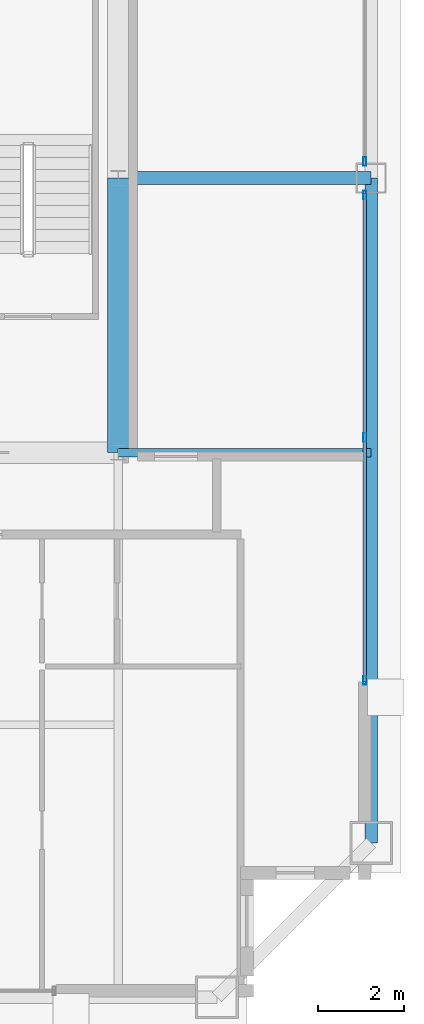
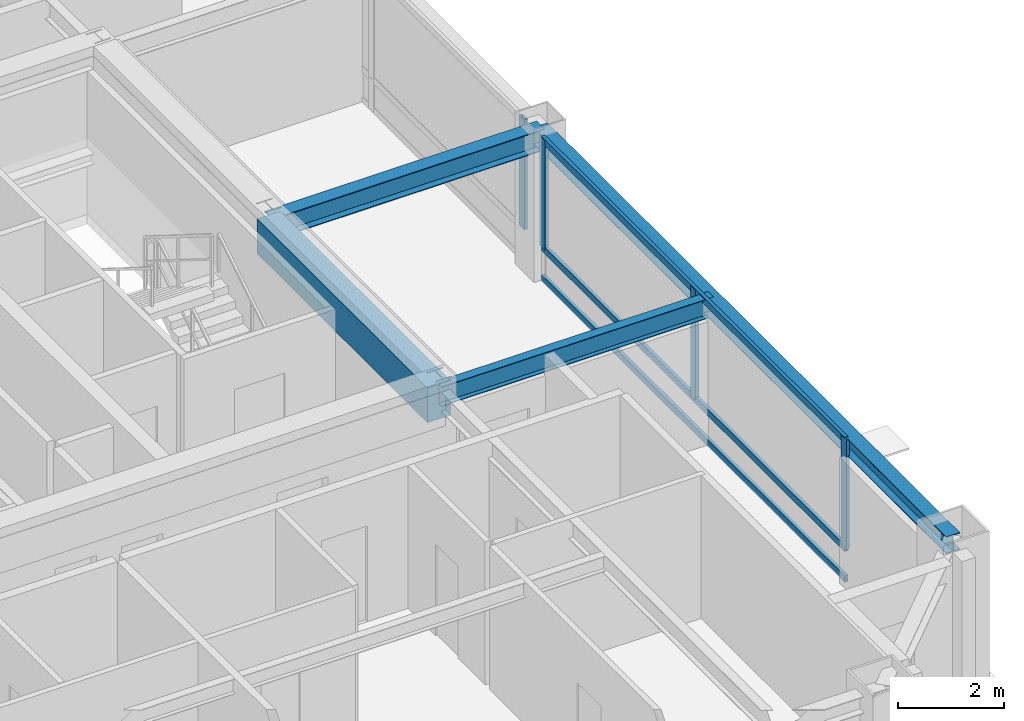
# One storey, part 14 of 35: 7 members, 4 beams, 2 elements without a shape of their own.
"""IFC4 building model written with IfcOpenShell, lengths in metres."""

import ifcopenshell
import ifcopenshell.guid

model = None  # the IFC model being written
_history = None  # IfcOwnerHistory: only IFC2X3 demands one
_inside = {}  # id of a spatial element -> (the spatial element, [elements in it])
_under = {}  # id of a project, library or spatial element -> (it, [spatial elements below it])
_declared = {}  # id of a project -> (the project, [libraries it declares])
_typed = {}  # id of a type object -> (the type object, [elements of that type])
_made_of = {}  # id of a material, layer set ... -> (it, [elements and type objects made of it])


def new_model(schema):
    """Start an empty IFC model of exactly this schema.

    Asked for "IFC4X3", IfcOpenShell would pick the latest addendum, in which some entities
    have other attributes; the version numbers below select the first issue.
    IFC2X3 requires an IfcOwnerHistory on every rooted entity: one is made here for all.
    """
    global model, _history
    if schema == "IFC4X3":
        model = ifcopenshell.file(schema_version=(4, 3, 0, 0))
    else:
        model = ifcopenshell.file(schema=schema)
    _inside.clear()
    _under.clear()
    _declared.clear()
    _typed.clear()
    _made_of.clear()
    _history = None
    if model.schema == "IFC2X3":
        org = make("IfcOrganization", Name="unknown")
        user = make(
            "IfcPersonAndOrganization",
            ThePerson=make("IfcPerson", FamilyName="unknown"),
            TheOrganization=org,
        )
        app = make(
            "IfcApplication",
            ApplicationDeveloper=org,
            Version="unknown",
            ApplicationFullName="unknown",
            ApplicationIdentifier="unknown",
        )
        _history = make(
            "IfcOwnerHistory",
            OwningUser=user,
            OwningApplication=app,
            ChangeAction="ADDED",
            CreationDate=0,
        )
    return model


def make(cls, **values):
    """One entity of the class cls with the attributes given. An attribute that is None is left unset."""
    return model.create_entity(
        cls, **{name: value for name, value in values.items() if value is not None}
    )


def rooted(cls, **values):
    """An entity with a GlobalId (a new one), such as an element, a storey or a relation."""
    return make(cls, GlobalId=ifcopenshell.guid.new(), OwnerHistory=_history, **values)


def si_unit(unit_type, name, prefix=None):
    """IfcSIUnit, for example si_unit("LENGTHUNIT", "METRE", prefix="MILLI")."""
    return make("IfcSIUnit", UnitType=unit_type, Prefix=prefix, Name=name)


def assignment(units):
    """IfcUnitAssignment: the units of a project."""
    return None if units is None else make("IfcUnitAssignment", Units=units)


def point(xyz):
    """IfcCartesianPoint."""
    return None if xyz is None else make("IfcCartesianPoint", Coordinates=xyz)


def direction(xyz):
    """IfcDirection."""
    return None if xyz is None else make("IfcDirection", DirectionRatios=xyz)


def frame(location, z_axis=None, x_axis=None):
    """IfcAxis2Placement3D, a coordinate frame: its origin and axes. An axis left out is left unset."""
    return make(
        "IfcAxis2Placement3D",
        Location=point(location),
        Axis=direction(z_axis),
        RefDirection=direction(x_axis),
    )


def frame_2d(location, x_axis=None):
    """IfcAxis2Placement2D, a coordinate frame in the plane: its origin and x axis."""
    return make(
        "IfcAxis2Placement2D", Location=point(location), RefDirection=direction(x_axis)
    )


def origin():
    """The frame at (0, 0, 0) with its axes left unset."""
    return frame((0.0, 0.0, 0.0))


def origin_2d():
    """The frame at (0, 0) in the plane with its x axis left unset."""
    return frame_2d((0.0, 0.0))


def place(relative_to, where):
    """IfcLocalPlacement: puts the frame where relative to a parent placement (None: the world)."""
    return make(
        "IfcLocalPlacement", PlacementRelTo=relative_to, RelativePlacement=where
    )


def context(
    kind, dimensions, precision=None, world=None, true_north=None, identifier=None
):
    """IfcGeometricRepresentationContext, for example the 3D "Model" context."""
    return make(
        "IfcGeometricRepresentationContext",
        ContextIdentifier=identifier,
        ContextType=kind,
        CoordinateSpaceDimension=dimensions,
        Precision=precision,
        WorldCoordinateSystem=world,
        TrueNorth=true_north,
    )


def subcontext(parent, identifier, kind, view, scale=None):
    """IfcGeometricRepresentationSubContext, for example "Body" below "Model"."""
    return make(
        "IfcGeometricRepresentationSubContext",
        ContextIdentifier=identifier,
        ContextType=kind,
        ParentContext=parent,
        TargetScale=scale,
        TargetView=view,
    )


def project(units=None, contexts=None):
    """IfcProject with its units and contexts."""
    return rooted(
        "IfcProject",
        Name="project",
        RepresentationContexts=contexts,
        UnitsInContext=assignment(units),
    )


def spatial(cls, under=None, at=None, **own):
    """A site, building, storey or space (cls), placed at a placement, below another one or the project."""
    s = rooted(cls, ObjectPlacement=at, **own)
    if under is not None:
        _under.setdefault(under.id(), (under, []))[1].append(s)
    return s


def profile(cls, at=None, kind="AREA", **sizes):
    """A parametric profile (cls). Its sizes go by their IFC names, for example OverallWidth=200.0."""
    return make(cls, ProfileType=kind, Position=at, **sizes)


def rectangle(**sizes):
    """IfcRectangleProfileDef."""
    return profile("IfcRectangleProfileDef", **sizes)


def hollow_rectangle(**sizes):
    """IfcRectangleHollowProfileDef."""
    return profile("IfcRectangleHollowProfileDef", **sizes)


def i_section(**sizes):
    """IfcIShapeProfileDef."""
    return profile("IfcIShapeProfileDef", **sizes)


def extrude(swept, where, along, depth):
    """IfcExtrudedAreaSolid: the profile swept, set in the frame where, extruded along a direction by depth."""
    return make(
        "IfcExtrudedAreaSolid",
        SweptArea=swept,
        Position=where,
        ExtrudedDirection=direction(along),
        Depth=depth,
    )


def shape(context_of_items, identifier, shape_type, items):
    """IfcShapeRepresentation: the items that make up one representation, for example the "Body"."""
    return make(
        "IfcShapeRepresentation",
        ContextOfItems=context_of_items,
        RepresentationIdentifier=identifier,
        RepresentationType=shape_type,
        Items=items,
    )


def source(mapping_origin, context_of_items, identifier, shape_type, items):
    """IfcRepresentationMap: a shape defined once, which mapped items show again and again."""
    return make(
        "IfcRepresentationMap",
        MappingOrigin=mapping_origin,
        MappedRepresentation=shape(context_of_items, identifier, shape_type, items),
    )


def transform(
    local_origin,
    x_axis=None,
    y_axis=None,
    z_axis=None,
    scale=None,
    scale2=None,
    scale3=None,
    uniform=True,
):
    """IfcCartesianTransformationOperator3D, or its non-uniform kind. x_axis, y_axis, z_axis: its Axis1, 2, 3."""
    if uniform:
        return make(
            "IfcCartesianTransformationOperator3D",
            Axis1=direction(x_axis),
            Axis2=direction(y_axis),
            LocalOrigin=point(local_origin),
            Scale=scale,
            Axis3=direction(z_axis),
        )
    return make(
        "IfcCartesianTransformationOperator3DnonUniform",
        Axis1=direction(x_axis),
        Axis2=direction(y_axis),
        LocalOrigin=point(local_origin),
        Scale=scale,
        Axis3=direction(z_axis),
        Scale2=scale2,
        Scale3=scale3,
    )


def mapped(mapping_source, mapping_target):
    """IfcMappedItem: shows the shape of a source again, moved by a transform."""
    return make(
        "IfcMappedItem", MappingSource=mapping_source, MappingTarget=mapping_target
    )


def material(Name=None, Category=None):
    """IfcMaterial."""
    return make("IfcMaterial", Name=Name, Category=Category)


def layer(
    of_material, thickness, ventilated=None, Name=None, Category=None, Priority=None
):
    """IfcMaterialLayer: one layer of a wall or slab, of a material (None: an air gap)."""
    return make(
        "IfcMaterialLayer",
        Material=of_material,
        LayerThickness=thickness,
        IsVentilated=ventilated,
        Name=Name,
        Category=Category,
        Priority=Priority,
    )


def layer_set(layers, Name=None):
    """IfcMaterialLayerSet."""
    return make("IfcMaterialLayerSet", MaterialLayers=layers, LayerSetName=Name)


def material_profile(
    of_material, cross_section, Name=None, Category=None, Priority=None
):
    """IfcMaterialProfile: a cross section and its material."""
    return make(
        "IfcMaterialProfile",
        Name=Name,
        Material=of_material,
        Profile=cross_section,
        Priority=Priority,
        Category=Category,
    )


def profile_set(profiles, Name=None, composite=None):
    """IfcMaterialProfileSet."""
    return make(
        "IfcMaterialProfileSet",
        Name=Name,
        MaterialProfiles=profiles,
        CompositeProfile=composite,
    )


def made_of(thing, what):
    """Note that an element or type object is made of a material, layer set ...; save() writes the relation."""
    if what is not None:
        _made_of.setdefault(what.id(), (what, []))[1].append(thing)
    return thing


def type_object(cls, material=None, **own):
    """A type object (cls), such as IfcWallType, which elements share."""
    return made_of(rooted(cls, **own), material)


def element(
    cls,
    number,
    at=None,
    inside=None,
    cuts=None,
    type_object=None,
    material=None,
    context=None,
    identifier="Body",
    shape_type=None,
    held_by="IfcProductDefinitionShape",
    body=None,
    shapes=None,
    **own,
):
    """One element of the class cls, such as IfcWall. Its Tag is "e" and its number.

    at: its placement. inside: the storey or other place that contains it. cuts: it is an
    opening in that element (IfcRelVoidsElement). A single representation is given by context,
    identifier, shape_type and body (its items); several are given by shapes. held_by: the class
    of the entity that holds the representations. save() writes the other relations.
    """
    e = rooted(cls, Tag="e%d" % number, ObjectPlacement=at, **own)
    if body is not None:
        shapes = [shape(context, identifier, shape_type, body)]
    if shapes is not None:
        e.Representation = make(held_by, Representations=shapes)
    if inside is not None:
        _inside.setdefault(inside.id(), (inside, []))[1].append(e)
    if cuts is not None:
        rooted(
            "IfcRelVoidsElement", RelatingBuildingElement=cuts, RelatedOpeningElement=e
        )
    if type_object is not None:
        _typed.setdefault(type_object.id(), (type_object, []))[1].append(e)
    return made_of(e, material)


def aggregate(whole, parts):
    """IfcRelAggregates: a whole, such as a stair, and the parts it consists of."""
    return rooted("IfcRelAggregates", RelatingObject=whole, RelatedObjects=parts)


def save(model, path):
    """Write the relations noted so far, then the file.

    IfcRelAggregates (storeys below a building ...), IfcRelContainedInSpatialStructure (elements
    in a storey), IfcRelDefinesByType, IfcRelAssociatesMaterial and IfcRelDeclares: one each for
    every whole, place, type object, material and project.
    """
    for whole, parts in _under.values():
        aggregate(whole, parts)
    for where, things in _inside.values():
        rooted(
            "IfcRelContainedInSpatialStructure",
            RelatedElements=things,
            RelatingStructure=where,
        )
    for kind, things in _typed.values():
        rooted("IfcRelDefinesByType", RelatedObjects=things, RelatingType=kind)
    for what, things in _made_of.values():
        rooted("IfcRelAssociatesMaterial", RelatedObjects=things, RelatingMaterial=what)
    for by, libraries in _declared.values():
        rooted("IfcRelDeclares", RelatingContext=by, RelatedDefinitions=libraries)
    model.write(path)


model = new_model("IFC4")

# Units and contexts
model_context = context("Model", 3, precision=1e-05, world=origin(), true_north=direction((0.0, 1.0)))
body_context = subcontext(model_context, "Body", "Model", "MODEL_VIEW")
ifc_project = project(units=[si_unit("LENGTHUNIT", "METRE"), si_unit("AREAUNIT", "SQUARE_METRE"), si_unit("VOLUMEUNIT", "CUBIC_METRE"), si_unit("PLANEANGLEUNIT", "RADIAN"), si_unit("MASSUNIT", "GRAM", prefix="KILO"), si_unit("THERMODYNAMICTEMPERATUREUNIT", "KELVIN"), si_unit("POWERUNIT", "WATT")], contexts=[model_context])

# Site, building, storey
site_placement = place(None, origin())
site = spatial("IfcSite", under=ifc_project, at=site_placement, CompositionType="ELEMENT")
building_placement = place(site_placement, origin())
building = spatial("IfcBuilding", under=site, at=building_placement, Name="Yuzanri Waterfront Tower", CompositionType="ELEMENT")
storey_placement = place(building_placement, frame((0.0, 0.0, 318.199951171875)))
storey = spatial("IfcBuildingStorey", under=building, at=storey_placement, Name="L85", CompositionType="ELEMENT", Elevation=318.199951171875)

# Beams
ifc_material_1 = material(Name="Concrete C50", Category="concrete")
ifc_material_profile_1 = material_profile(ifc_material_1, rectangle(XDim=0.5, YDim=0.800048828125, at=origin_2d()), Name="RC 500x800")
ifc_profile_set_1 = profile_set([ifc_material_profile_1], Name="Concrete C50")
beam_type_1 = type_object("IfcBeamType", Name="Core Coupling Lintel Concrete C50 500x800", PredefinedType="LINTEL", material=ifc_profile_set_1)
shared_shape_1 = source(origin(), body_context, "Body", "SweptSolid", [
    extrude(rectangle(XDim=0.5, YDim=0.800048828125, at=origin_2d()), origin(), (0.0, 0.0, 1.0), 6.400146484375),
])
beam_1_placement = place(storey_placement, frame((50.199951171875, 19.39990234375, 2.880126953125), z_axis=(0.0, 1.0, 0.0), x_axis=(-1.0, 0.0, 0.0)))
element("IfcBeam", 1, at=beam_1_placement, inside=storey, type_object=beam_type_1, Name="L85 Core Tie Beam CE1", PredefinedType="LINTEL", context=body_context, shape_type="MappedRepresentation", body=[
    mapped(shared_shape_1, transform((0.0, 0.0, 0.0), scale=1.0)),
])
ifc_material_2 = material(Name="Steel Q355B", Category="steel")
ifc_material_profile_2 = material_profile(ifc_material_2, i_section(OverallWidth=0.300048828125, OverallDepth=0.389892578125, WebThickness=0.010009765625, FlangeThickness=0.01611328125, at=origin_2d()), Name="HM 390x300x10x16")
ifc_profile_set_2 = profile_set([ifc_material_profile_2], Name="Steel Q355B")
beam_type_2 = type_object("IfcBeamType", Name="Perimeter Spandrel Q355B HM 390x300", PredefinedType="SPANDREL", material=ifc_profile_set_2)
shared_shape_2 = source(origin(), body_context, "Body", "SweptSolid", [
    extrude(i_section(OverallWidth=0.300048828125, OverallDepth=0.389892578125, WebThickness=0.010009765625, FlangeThickness=0.01611328125, at=origin_2d()), origin(), (0.0, 0.0, 1.0), 15.5),
])
beam_2_placement = place(storey_placement, frame((56.10009765625, 10.300048828125, 3.0849609375), z_axis=(0.0, 1.0, 0.0), x_axis=(-1.0, 0.0, 0.0)))
element("IfcBeam", 2, at=beam_2_placement, inside=storey, type_object=beam_type_2, Name="L85 Perimeter Spandrel E1-E2", PredefinedType="SPANDREL", context=body_context, shape_type="MappedRepresentation", body=[
    mapped(shared_shape_2, transform((0.0, 0.0, 0.0), scale=1.0)),
])
ifc_material_3 = material(Name="Steel Q355B", Category="steel")
ifc_material_profile_3 = material_profile(ifc_material_3, i_section(OverallWidth=0.300048828125, OverallDepth=0.488037109375, WebThickness=0.010986328125, FlangeThickness=0.01806640625, at=origin_2d()), Name="HM 488x300x11x18")
ifc_profile_set_3 = profile_set([ifc_material_profile_3], Name="Steel Q355B")
beam_type_3 = type_object("IfcBeamType", Name="Primary Floor Girder Q355B HM 488x300", PredefinedType="BEAM", material=ifc_profile_set_3)
shared_shape_3 = source(origin(), body_context, "Body", "SweptSolid", [
    extrude(i_section(OverallWidth=0.300048828125, OverallDepth=0.488037109375, WebThickness=0.010986328125, FlangeThickness=0.01806640625, at=origin_2d()), origin(), (0.0, 0.0, 1.0), 5.900146484375),
])
beam_3_placement = place(storey_placement, frame((50.199951171875, 25.800048828125, 3.0361328125), z_axis=(1.0, 0.0, 0.0), x_axis=(0.0, 1.0, 0.0)))
element("IfcBeam", 3, at=beam_3_placement, inside=storey, type_object=beam_type_3, Name="L85 East Grid Girder", PredefinedType="BEAM", context=body_context, shape_type="MappedRepresentation", body=[
    mapped(shared_shape_3, transform((0.0, 0.0, 0.0), scale=1.0)),
])
ifc_material_4 = material(Name="Steel Q355B", Category="steel")
ifc_material_profile_4 = material_profile(ifc_material_4, i_section(OverallWidth=0.199951171875, OverallDepth=0.449951171875, WebThickness=0.009033203125, FlangeThickness=0.013916015625, at=origin_2d()), Name="HN 450x200x9x14")
ifc_profile_set_4 = profile_set([ifc_material_profile_4], Name="Steel Q355B")
beam_type_4 = type_object("IfcBeamType", Name="Secondary Floor Beam Q355B HN 450x200", PredefinedType="BEAM", material=ifc_profile_set_4)
shared_shape_4 = source(origin(), body_context, "Body", "SweptSolid", [
    extrude(i_section(OverallWidth=0.199951171875, OverallDepth=0.449951171875, WebThickness=0.009033203125, FlangeThickness=0.013916015625, at=origin_2d()), origin(), (0.0, 0.0, 1.0), 5.900146484375),
])
beam_4_placement = place(storey_placement, frame((50.199951171875, 19.39990234375, 3.054931640625), z_axis=(1.0, 0.0, 0.0), x_axis=(0.0, 1.0, 0.0)))
element("IfcBeam", 4, at=beam_4_placement, inside=storey, type_object=beam_type_4, Name="L85 East-South Core Line Beam", PredefinedType="BEAM", context=body_context, shape_type="MappedRepresentation", body=[
    mapped(shared_shape_4, transform((0.0, 0.0, 0.0), scale=1.0)),
])

# Curtain wall, members
ifc_material_5 = material(Name="Anodized Architectural Bronze", Category="metal")
ifc_layer = layer(ifc_material_5, 0.159912109375)
ifc_layer_set = layer_set([ifc_layer], Name="Anodized Architectural Bronze")
curtain_wall_type = type_object("IfcCurtainWallType", Name="Anodized Bronze High-Rise Penthouse High-Wind Unitized Curtain Wall 6900", PredefinedType="NOTDEFINED", material=ifc_layer_set)
curtain_wall_1_placement = place(storey_placement, origin())
curtain_wall_1 = element("IfcCurtainWall", 5, at=curtain_wall_1_placement, inside=storey, type_object=curtain_wall_type, Name="L85 Curtain Wall CW-L85-EL", PredefinedType="NOTDEFINED")
ifc_material_6 = material(Name="Anodized Architectural Bronze", Category="metal")
ifc_material_profile_5 = material_profile(ifc_material_6, hollow_rectangle(XDim=0.074951171875, YDim=0.199951171875, WallThickness=0.00390625, at=origin_2d()), Name="CWM 75x200")
ifc_profile_set_5 = profile_set([ifc_material_profile_5], Name="Anodized Architectural Bronze")
member_type_1 = type_object("IfcMemberType", Name="Anodized Bronze Primary Curtain-Wall Mullion 75x200", PredefinedType="MULLION", material=ifc_profile_set_5)
shared_shape_5 = source(origin(), body_context, "Body", "SweptSolid", [
    extrude(hollow_rectangle(XDim=0.074951171875, YDim=0.199951171875, WallThickness=0.00390625, at=origin_2d()), origin(), (0.0, 0.0, 1.0), 2.52392578125),
])
member_1_placement = place(storey_placement, frame((55.949951171875, 14.090087890625, 0.756103515625), z_axis=(0.0, 0.0, 1.0), x_axis=(1.0, 0.0, 0.0)))
member_1 = element("IfcMember", 6, at=member_1_placement, type_object=member_type_1, Name="CW-L85-EL Upper Mullion 00", PredefinedType="MULLION", context=body_context, shape_type="MappedRepresentation", body=[
    mapped(shared_shape_5, transform((0.0, 0.0, 0.0), scale=1.0)),
])
member_2_placement = place(storey_placement, frame((55.949951171875, 19.75, 0.756103515625), z_axis=(0.0, 0.0, 1.0), x_axis=(1.0, 0.0, 0.0)))
member_2 = element("IfcMember", 7, at=member_2_placement, type_object=member_type_1, Name="CW-L85-EL Upper Mullion 01", PredefinedType="MULLION", context=body_context, shape_type="MappedRepresentation", body=[
    mapped(shared_shape_5, transform((0.0, 0.0, 0.0), scale=1.0)),
])
member_3_placement = place(storey_placement, frame((55.949951171875, 25.409912109375, 0.756103515625), z_axis=(0.0, 0.0, 1.0), x_axis=(1.0, 0.0, 0.0)))
member_3 = element("IfcMember", 8, at=member_3_placement, type_object=member_type_1, Name="CW-L85-EL Upper Mullion 02", PredefinedType="MULLION", context=body_context, shape_type="MappedRepresentation", body=[
    mapped(shared_shape_5, transform((0.0, 0.0, 0.0), scale=1.0)),
])

# Curtain wall, member
curtain_wall_2_placement = place(storey_placement, origin())
curtain_wall_2 = element("IfcCurtainWall", 9, at=curtain_wall_2_placement, inside=storey, type_object=curtain_wall_type, Name="L85 Curtain Wall CW-L85-ER", PredefinedType="NOTDEFINED")
member_4_placement = place(storey_placement, frame((55.949951171875, 26.18994140625, 0.756103515625), z_axis=(0.0, 0.0, 1.0), x_axis=(1.0, 0.0, 0.0)))
member_4 = element("IfcMember", 10, at=member_4_placement, type_object=member_type_1, Name="CW-L85-ER Upper Mullion 00", PredefinedType="MULLION", context=body_context, shape_type="MappedRepresentation", body=[
    mapped(shared_shape_5, transform((0.0, 0.0, 0.0), scale=1.0)),
])
aggregate(curtain_wall_2, [member_4])

# Member
ifc_material_7 = material(Name="Anodized Architectural Bronze", Category="metal")
ifc_material_profile_6 = material_profile(ifc_material_7, hollow_rectangle(XDim=0.074951171875, YDim=0.14990234375, WallThickness=0.00390625, at=origin_2d()), Name="CWT 75x150")
ifc_profile_set_6 = profile_set([ifc_material_profile_6], Name="Anodized Architectural Bronze")
member_type_2 = type_object("IfcMemberType", Name="Anodized Bronze Primary Curtain-Wall Transom 75x150", PredefinedType="USERDEFINED", material=ifc_profile_set_6)
shared_shape_6 = source(origin(), body_context, "Body", "SweptSolid", [
    extrude(hollow_rectangle(XDim=0.074951171875, YDim=0.14990234375, WallThickness=0.00390625, at=origin_2d()), origin(), (0.0, 0.0, 1.0), 11.39990234375),
])
member_5_placement = place(storey_placement, frame((55.949951171875, 14.050048828125, 0.050048828125), z_axis=(0.0, 1.0, 0.0), x_axis=(-1.0, 0.0, 0.0)))
member_5 = element("IfcMember", 11, at=member_5_placement, type_object=member_type_2, Name="CW-L85-EL Transom 1", ObjectType="TRANSOM", PredefinedType="USERDEFINED", context=body_context, shape_type="MappedRepresentation", body=[
    mapped(shared_shape_6, transform((0.0, 0.0, 0.0), scale=1.0)),
])

member_6_placement = place(storey_placement, frame((55.949951171875, 14.050048828125, 0.754150390625), z_axis=(0.0, 1.0, 0.0), x_axis=(-1.0, 0.0, 0.0)))
member_6 = element("IfcMember", 12, at=member_6_placement, type_object=member_type_2, Name="CW-L85-EL Transom 2", ObjectType="TRANSOM", PredefinedType="USERDEFINED", context=body_context, shape_type="MappedRepresentation", body=[
    mapped(shared_shape_6, transform((0.0, 0.0, 0.0), scale=1.0)),
])

member_7_placement = place(storey_placement, frame((55.949951171875, 14.050048828125, 3.22998046875), z_axis=(0.0, 1.0, 0.0), x_axis=(-1.0, 0.0, 0.0)))
member_7 = element("IfcMember", 13, at=member_7_placement, type_object=member_type_2, Name="CW-L85-EL Transom 3", ObjectType="TRANSOM", PredefinedType="USERDEFINED", context=body_context, shape_type="MappedRepresentation", body=[
    mapped(shared_shape_6, transform((0.0, 0.0, 0.0), scale=1.0)),
])

aggregate(curtain_wall_1, [member_1, member_2, member_3, member_5, member_6, member_7])

save(model, "model.ifc")
